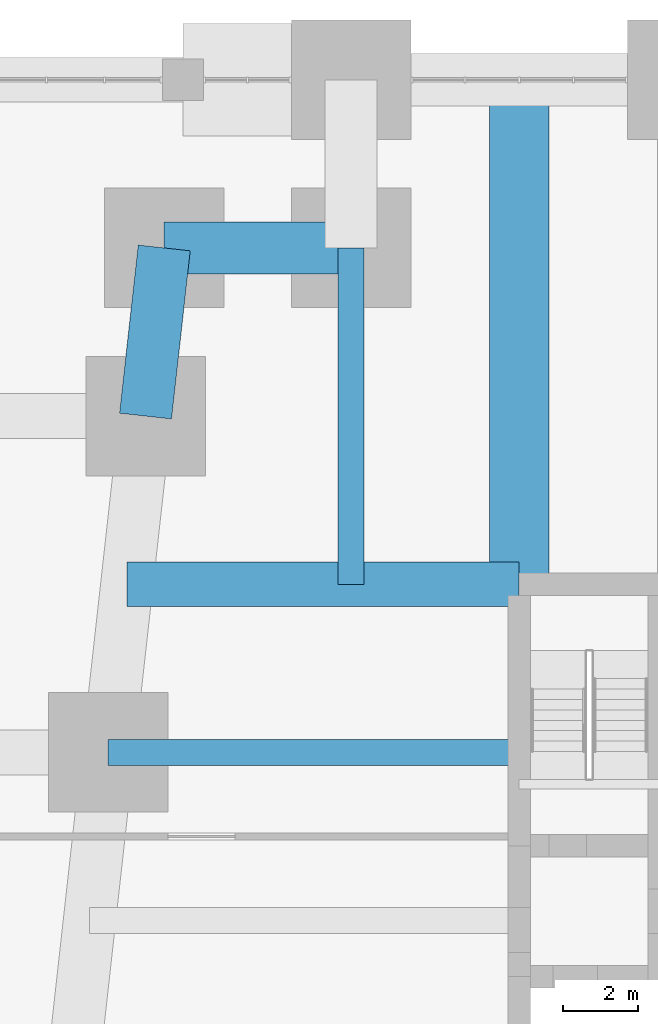
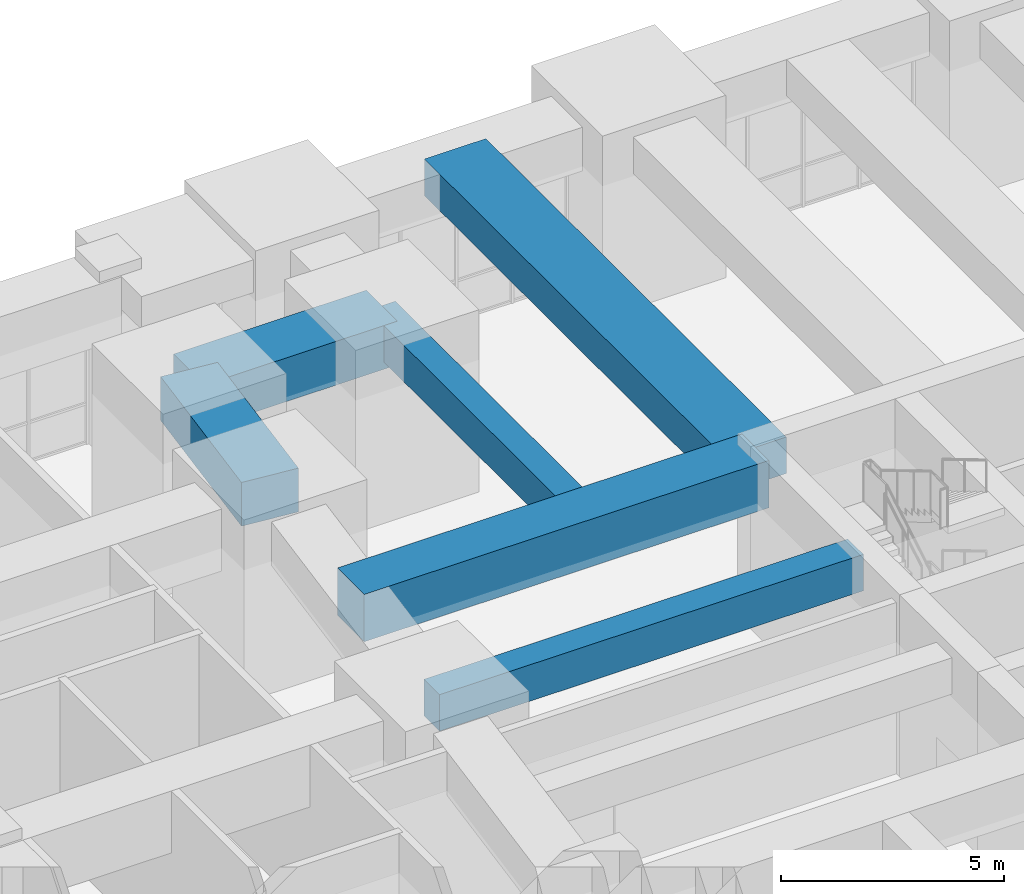
# One storey, part 9 of 27: 6 beams.
"""IFC4 building model written with IfcOpenShell, lengths in metres."""

from ifc_helpers import new_model, si_unit, direction, frame, origin, origin_2d, place, context, subcontext, project, spatial, rectangle, extrude, material, material_profile, profile_set, type_object, element, save


model = new_model("IFC4")

# Units and contexts
model_context = context("Model", 3, precision=1e-05, world=origin(), true_north=direction((0.0, 1.0)))
body_context = subcontext(model_context, "Body", "Model", "MODEL_VIEW")
ifc_project = project(units=[si_unit("LENGTHUNIT", "METRE"), si_unit("AREAUNIT", "SQUARE_METRE"), si_unit("VOLUMEUNIT", "CUBIC_METRE"), si_unit("PLANEANGLEUNIT", "RADIAN"), si_unit("MASSUNIT", "GRAM", prefix="KILO")], contexts=[model_context])

# Site, building, storey
site_placement = place(None, origin())
site = spatial("IfcSite", under=ifc_project, at=site_placement, CompositionType="ELEMENT")
building_placement = place(site_placement, origin())
building = spatial("IfcBuilding", under=site, at=building_placement, Name="Kilele Tower Hotel", CompositionType="ELEMENT")
storey_placement = place(building_placement, frame((0.0, 0.0, 6.0)))
storey = spatial("IfcBuildingStorey", under=building, at=storey_placement, Name="L01", CompositionType="ELEMENT", Elevation=6.0)

# Beams
ifc_material_1 = material(Name="Concrete C60/75", Category="concrete")
ifc_material_profile_1 = material_profile(ifc_material_1, rectangle(XDim=1.60009765625, YDim=1.0, at=origin_2d()))
ifc_profile_set_1 = profile_set([ifc_material_profile_1], Name="Concrete C60/75")
beam_type_1 = type_object("IfcBeamType", Name="Beam RC 1600x1000 C60/75", PredefinedType="BEAM", material=ifc_profile_set_1)
beam_1_placement = place(storey_placement, frame((13.5, 40.5, 4.199951171875), z_axis=(0.0, -1.0, 0.0), x_axis=(1.0, 0.0, 0.0)))
element("IfcBeam", 1, at=beam_1_placement, inside=storey, type_object=beam_type_1, Name="Beam BC1 level L02", PredefinedType="BEAM", context=body_context, shape_type="SweptSolid", body=[
    extrude(rectangle(XDim=1.60009765625, YDim=1.0, at=origin_2d()), origin(), (0.0, 0.0, 1.0), 13.5),
])
ifc_material_2 = material(Name="Concrete C60/75", Category="concrete")
ifc_material_profile_2 = material_profile(ifc_material_2, rectangle(XDim=0.699951171875, YDim=1.0, at=origin_2d()))
ifc_profile_set_2 = profile_set([ifc_material_profile_2], Name="Concrete C60/75")
beam_type_2 = type_object("IfcBeamType", Name="Beam RC 700x1000 C60/75 mid span", PredefinedType="BEAM", material=ifc_profile_set_2)
beam_2_placement = place(storey_placement, frame((9.0, 36.0, 4.199951171875), z_axis=(0.0, -1.0, 0.0), x_axis=(1.0, 0.0, 0.0)))
element("IfcBeam", 2, at=beam_2_placement, inside=storey, type_object=beam_type_2, Name="Beam B5 level L02", PredefinedType="BEAM", context=body_context, shape_type="SweptSolid", body=[
    extrude(rectangle(XDim=0.699951171875, YDim=1.0, at=origin_2d()), origin(), (0.0, 0.0, 1.0), 9.0),
])
beam_3_placement = place(storey_placement, frame((2.5, 22.5, 4.199951171875), z_axis=(1.0, 0.0, 0.0), x_axis=(0.0, 1.0, 0.0)))
element("IfcBeam", 3, at=beam_3_placement, inside=storey, type_object=beam_type_2, Name="Beam B5 level L02", PredefinedType="BEAM", context=body_context, shape_type="SweptSolid", body=[
    extrude(rectangle(XDim=0.699951171875, YDim=1.0, at=origin_2d()), origin(), (0.0, 0.0, 1.0), 11.0),
])
ifc_material_3 = material(Name="Concrete C60/75", Category="concrete")
ifc_material_profile_3 = material_profile(ifc_material_3, rectangle(XDim=1.199951171875, YDim=1.300048828125, at=origin_2d()))
ifc_profile_set_3 = profile_set([ifc_material_profile_3], Name="Concrete C60/75")
beam_type_3 = type_object("IfcBeamType", Name="Girder RC 1200x1300 C60/75 mid span", PredefinedType="BEAM", material=ifc_profile_set_3)
beam_4_placement = place(storey_placement, frame((3.0, 27.0, 4.050048828125), z_axis=(1.0, 0.0, 0.0), x_axis=(0.0, 1.0, 0.0)))
element("IfcBeam", 4, at=beam_4_placement, inside=storey, type_object=beam_type_3, Name="Girder G3 level L02", PredefinedType="BEAM", context=body_context, shape_type="SweptSolid", body=[
    extrude(rectangle(XDim=1.199951171875, YDim=1.300048828125, at=origin_2d()), origin(), (0.0, 0.0, 1.0), 10.5),
])
ifc_material_4 = material(Name="Concrete C60/75", Category="concrete")
ifc_material_profile_4 = material_profile(ifc_material_4, rectangle(XDim=1.39990234375, YDim=1.199951171875, at=origin_2d()))
ifc_profile_set_4 = profile_set([ifc_material_profile_4], Name="Concrete C60/75")
beam_type_4 = type_object("IfcBeamType", Name="Spandrel RC 1400x1200 C60/75", PredefinedType="SPANDREL", material=ifc_profile_set_4)
beam_5_placement = place(storey_placement, frame((9.0, 36.0, 4.10009765625), z_axis=(-1.0, 0.0, 0.0), x_axis=(0.0, -1.0, 0.0)))
element("IfcBeam", 5, at=beam_5_placement, inside=storey, type_object=beam_type_4, Name="Spandrel SP10 level L02", PredefinedType="SPANDREL", context=body_context, shape_type="SweptSolid", body=[
    extrude(rectangle(XDim=1.39990234375, YDim=1.199951171875, at=origin_2d()), origin(), (0.0, 0.0, 1.0), 5.0),
])
beam_6_placement = place(storey_placement, frame((4.0, 36.0, 4.10009765625), z_axis=(-0.110431526075, -0.993883734674, 0.0), x_axis=(0.993883734674, -0.110431526075, 0.0)))
element("IfcBeam", 6, at=beam_6_placement, inside=storey, type_object=beam_type_4, Name="Spandrel SP10 level L02", PredefinedType="SPANDREL", context=body_context, shape_type="SweptSolid", body=[
    extrude(rectangle(XDim=1.39990234375, YDim=1.199951171875, at=origin_2d()), origin(), (0.0, 0.0, 1.0), 4.527587890625),
])

save(model, "model.ifc")
